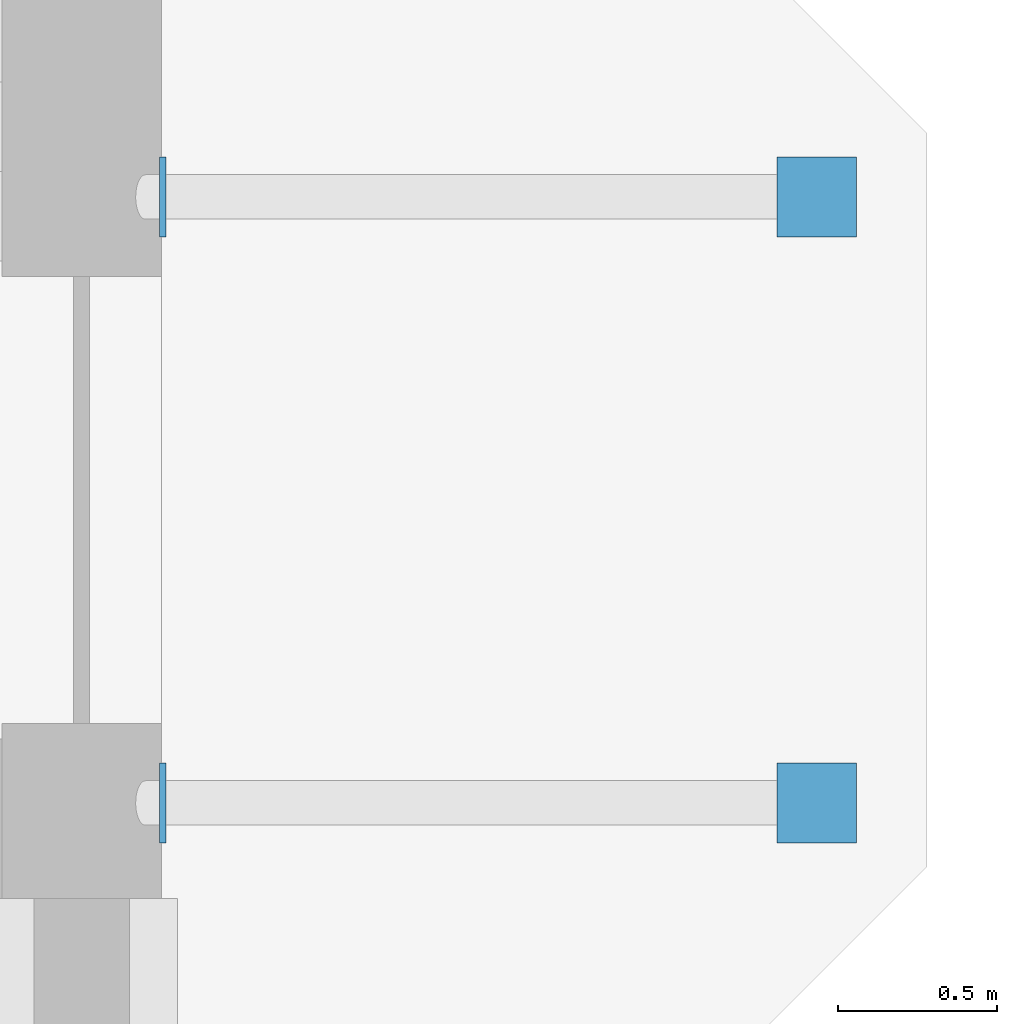
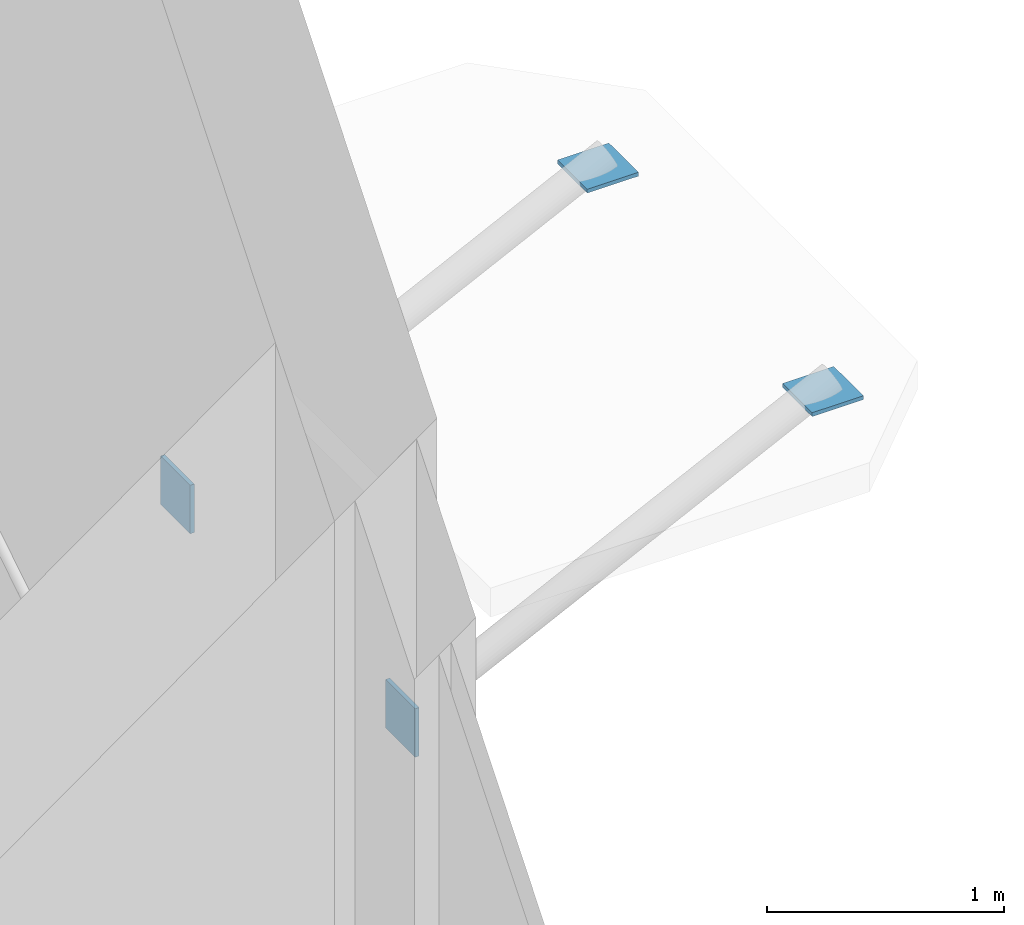
# One storey, part 62 of 71: 4 discrete accessories.
"""IFC4 building model written with IfcOpenShell, lengths in metres."""

from ifc_helpers import new_model, si_unit, direction, frame, origin, origin_2d, place, context, subcontext, project, spatial, rectangle, extrude, material, type_object, element, save


model = new_model("IFC4")

# Units and contexts
model_context = context("Model", 3, precision=1e-05, world=origin(), true_north=direction((0.0, 1.0)))
body_context = subcontext(model_context, "Body", "Model", "MODEL_VIEW")
ifc_project = project(units=[si_unit("LENGTHUNIT", "METRE"), si_unit("AREAUNIT", "SQUARE_METRE"), si_unit("VOLUMEUNIT", "CUBIC_METRE"), si_unit("PLANEANGLEUNIT", "RADIAN"), si_unit("MASSUNIT", "GRAM", prefix="KILO")], contexts=[model_context])

# Site, building, storey
site_placement = place(None, origin())
site = spatial("IfcSite", under=ifc_project, at=site_placement, CompositionType="ELEMENT")
building_placement = place(site_placement, origin())
building = spatial("IfcBuilding", under=site, at=building_placement, Name="Basin Gate Institute", CompositionType="ELEMENT")
storey_placement = place(building_placement, origin())
storey = spatial("IfcBuildingStorey", under=building, at=storey_placement, Name="L00", CompositionType="ELEMENT", Elevation=0.0)

# Discrete accessories
ifc_material = material(Name="Structural steel SN490", Category="steel")
discrete_accessory_type = type_object("IfcDiscreteAccessoryType", Name="Brace end plate BP250", PredefinedType="BRACKET", material=ifc_material)
discrete_accessory_1_placement = place(storey_placement, frame((119.053955078125, 60.35009765625, 1.80126953125), z_axis=(0.0, 0.0, 1.0), x_axis=(1.0, 0.0, 0.0)))
element("IfcDiscreteAccessory", 1, at=discrete_accessory_1_placement, inside=storey, type_object=discrete_accessory_type, material=ifc_material, Name="Canopy strut EM 1 end plate 1", PredefinedType="BRACKET", context=body_context, shape_type="SweptSolid", body=[
    extrude(rectangle(XDim=0.02001953125, YDim=0.25, at=origin_2d()), origin(), (0.0, 0.0, 1.0), 0.25),
])
discrete_accessory_2_placement = place(storey_placement, frame((121.10498046875, 60.35009765625, 2.8798828125), z_axis=(0.0, 0.0, 1.0), x_axis=(1.0, 0.0, 0.0)))
element("IfcDiscreteAccessory", 2, at=discrete_accessory_2_placement, inside=storey, type_object=discrete_accessory_type, material=ifc_material, Name="Canopy strut EM 1 end plate 2", PredefinedType="BRACKET", context=body_context, shape_type="SweptSolid", body=[
    extrude(rectangle(XDim=0.25, YDim=0.25, at=origin_2d()), origin(), (0.0, 0.0, 1.0), 0.02001953125),
])
discrete_accessory_3_placement = place(storey_placement, frame((119.053955078125, 62.25, 1.80126953125), z_axis=(0.0, 0.0, 1.0), x_axis=(1.0, 0.0, 0.0)))
element("IfcDiscreteAccessory", 3, at=discrete_accessory_3_placement, inside=storey, type_object=discrete_accessory_type, material=ifc_material, Name="Canopy strut EM 2 end plate 1", PredefinedType="BRACKET", context=body_context, shape_type="SweptSolid", body=[
    extrude(rectangle(XDim=0.02001953125, YDim=0.25, at=origin_2d()), origin(), (0.0, 0.0, 1.0), 0.25),
])
discrete_accessory_4_placement = place(storey_placement, frame((121.10498046875, 62.25, 2.8798828125), z_axis=(0.0, 0.0, 1.0), x_axis=(1.0, 0.0, 0.0)))
element("IfcDiscreteAccessory", 4, at=discrete_accessory_4_placement, inside=storey, type_object=discrete_accessory_type, material=ifc_material, Name="Canopy strut EM 2 end plate 2", PredefinedType="BRACKET", context=body_context, shape_type="SweptSolid", body=[
    extrude(rectangle(XDim=0.25, YDim=0.25, at=origin_2d()), origin(), (0.0, 0.0, 1.0), 0.02001953125),
])

save(model, "model.ifc")
